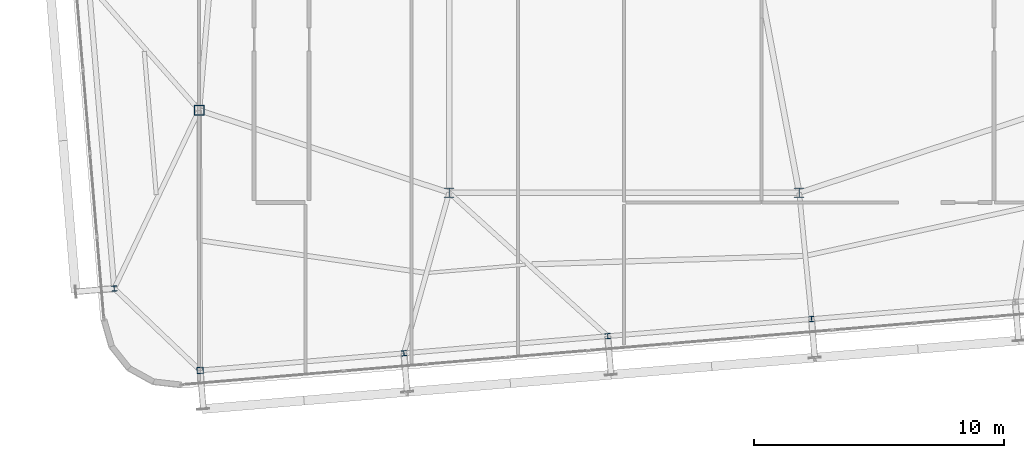
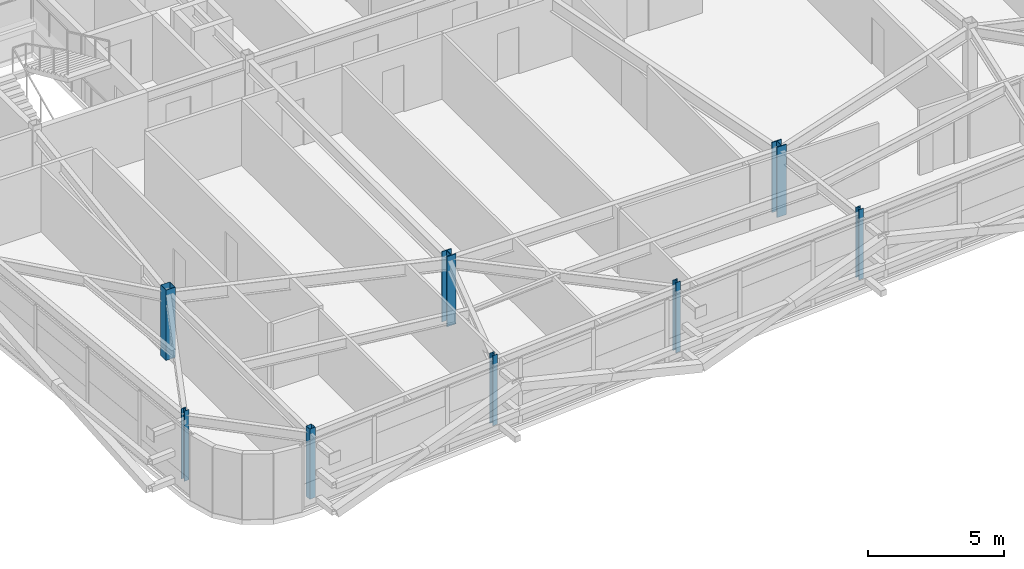
# One storey, part 1 of 44: 8 columns.
"""IFC4 building model written with IfcOpenShell, lengths in metres."""

import ifcopenshell
import ifcopenshell.guid

model = None  # the IFC model being written
_history = None  # IfcOwnerHistory: only IFC2X3 demands one
_inside = {}  # id of a spatial element -> (the spatial element, [elements in it])
_under = {}  # id of a project, library or spatial element -> (it, [spatial elements below it])
_declared = {}  # id of a project -> (the project, [libraries it declares])
_typed = {}  # id of a type object -> (the type object, [elements of that type])
_made_of = {}  # id of a material, layer set ... -> (it, [elements and type objects made of it])


def new_model(schema):
    """Start an empty IFC model of exactly this schema.

    Asked for "IFC4X3", IfcOpenShell would pick the latest addendum, in which some entities
    have other attributes; the version numbers below select the first issue.
    IFC2X3 requires an IfcOwnerHistory on every rooted entity: one is made here for all.
    """
    global model, _history
    if schema == "IFC4X3":
        model = ifcopenshell.file(schema_version=(4, 3, 0, 0))
    else:
        model = ifcopenshell.file(schema=schema)
    _inside.clear()
    _under.clear()
    _declared.clear()
    _typed.clear()
    _made_of.clear()
    _history = None
    if model.schema == "IFC2X3":
        org = make("IfcOrganization", Name="unknown")
        user = make(
            "IfcPersonAndOrganization",
            ThePerson=make("IfcPerson", FamilyName="unknown"),
            TheOrganization=org,
        )
        app = make(
            "IfcApplication",
            ApplicationDeveloper=org,
            Version="unknown",
            ApplicationFullName="unknown",
            ApplicationIdentifier="unknown",
        )
        _history = make(
            "IfcOwnerHistory",
            OwningUser=user,
            OwningApplication=app,
            ChangeAction="ADDED",
            CreationDate=0,
        )
    return model


def make(cls, **values):
    """One entity of the class cls with the attributes given. An attribute that is None is left unset."""
    return model.create_entity(
        cls, **{name: value for name, value in values.items() if value is not None}
    )


def rooted(cls, **values):
    """An entity with a GlobalId (a new one), such as an element, a storey or a relation."""
    return make(cls, GlobalId=ifcopenshell.guid.new(), OwnerHistory=_history, **values)


def si_unit(unit_type, name, prefix=None):
    """IfcSIUnit, for example si_unit("LENGTHUNIT", "METRE", prefix="MILLI")."""
    return make("IfcSIUnit", UnitType=unit_type, Prefix=prefix, Name=name)


def assignment(units):
    """IfcUnitAssignment: the units of a project."""
    return None if units is None else make("IfcUnitAssignment", Units=units)


def point(xyz):
    """IfcCartesianPoint."""
    return None if xyz is None else make("IfcCartesianPoint", Coordinates=xyz)


def direction(xyz):
    """IfcDirection."""
    return None if xyz is None else make("IfcDirection", DirectionRatios=xyz)


def frame(location, z_axis=None, x_axis=None):
    """IfcAxis2Placement3D, a coordinate frame: its origin and axes. An axis left out is left unset."""
    return make(
        "IfcAxis2Placement3D",
        Location=point(location),
        Axis=direction(z_axis),
        RefDirection=direction(x_axis),
    )


def frame_2d(location, x_axis=None):
    """IfcAxis2Placement2D, a coordinate frame in the plane: its origin and x axis."""
    return make(
        "IfcAxis2Placement2D", Location=point(location), RefDirection=direction(x_axis)
    )


def origin():
    """The frame at (0, 0, 0) with its axes left unset."""
    return frame((0.0, 0.0, 0.0))


def origin_2d():
    """The frame at (0, 0) in the plane with its x axis left unset."""
    return frame_2d((0.0, 0.0))


def place(relative_to, where):
    """IfcLocalPlacement: puts the frame where relative to a parent placement (None: the world)."""
    return make(
        "IfcLocalPlacement", PlacementRelTo=relative_to, RelativePlacement=where
    )


def context(
    kind, dimensions, precision=None, world=None, true_north=None, identifier=None
):
    """IfcGeometricRepresentationContext, for example the 3D "Model" context."""
    return make(
        "IfcGeometricRepresentationContext",
        ContextIdentifier=identifier,
        ContextType=kind,
        CoordinateSpaceDimension=dimensions,
        Precision=precision,
        WorldCoordinateSystem=world,
        TrueNorth=true_north,
    )


def subcontext(parent, identifier, kind, view, scale=None):
    """IfcGeometricRepresentationSubContext, for example "Body" below "Model"."""
    return make(
        "IfcGeometricRepresentationSubContext",
        ContextIdentifier=identifier,
        ContextType=kind,
        ParentContext=parent,
        TargetScale=scale,
        TargetView=view,
    )


def project(units=None, contexts=None):
    """IfcProject with its units and contexts."""
    return rooted(
        "IfcProject",
        Name="project",
        RepresentationContexts=contexts,
        UnitsInContext=assignment(units),
    )


def spatial(cls, under=None, at=None, **own):
    """A site, building, storey or space (cls), placed at a placement, below another one or the project."""
    s = rooted(cls, ObjectPlacement=at, **own)
    if under is not None:
        _under.setdefault(under.id(), (under, []))[1].append(s)
    return s


def profile(cls, at=None, kind="AREA", **sizes):
    """A parametric profile (cls). Its sizes go by their IFC names, for example OverallWidth=200.0."""
    return make(cls, ProfileType=kind, Position=at, **sizes)


def hollow_rectangle(**sizes):
    """IfcRectangleHollowProfileDef."""
    return profile("IfcRectangleHollowProfileDef", **sizes)


def i_section(**sizes):
    """IfcIShapeProfileDef."""
    return profile("IfcIShapeProfileDef", **sizes)


def extrude(swept, where, along, depth):
    """IfcExtrudedAreaSolid: the profile swept, set in the frame where, extruded along a direction by depth."""
    return make(
        "IfcExtrudedAreaSolid",
        SweptArea=swept,
        Position=where,
        ExtrudedDirection=direction(along),
        Depth=depth,
    )


def shape(context_of_items, identifier, shape_type, items):
    """IfcShapeRepresentation: the items that make up one representation, for example the "Body"."""
    return make(
        "IfcShapeRepresentation",
        ContextOfItems=context_of_items,
        RepresentationIdentifier=identifier,
        RepresentationType=shape_type,
        Items=items,
    )


def source(mapping_origin, context_of_items, identifier, shape_type, items):
    """IfcRepresentationMap: a shape defined once, which mapped items show again and again."""
    return make(
        "IfcRepresentationMap",
        MappingOrigin=mapping_origin,
        MappedRepresentation=shape(context_of_items, identifier, shape_type, items),
    )


def transform(
    local_origin,
    x_axis=None,
    y_axis=None,
    z_axis=None,
    scale=None,
    scale2=None,
    scale3=None,
    uniform=True,
):
    """IfcCartesianTransformationOperator3D, or its non-uniform kind. x_axis, y_axis, z_axis: its Axis1, 2, 3."""
    if uniform:
        return make(
            "IfcCartesianTransformationOperator3D",
            Axis1=direction(x_axis),
            Axis2=direction(y_axis),
            LocalOrigin=point(local_origin),
            Scale=scale,
            Axis3=direction(z_axis),
        )
    return make(
        "IfcCartesianTransformationOperator3DnonUniform",
        Axis1=direction(x_axis),
        Axis2=direction(y_axis),
        LocalOrigin=point(local_origin),
        Scale=scale,
        Axis3=direction(z_axis),
        Scale2=scale2,
        Scale3=scale3,
    )


def mapped(mapping_source, mapping_target):
    """IfcMappedItem: shows the shape of a source again, moved by a transform."""
    return make(
        "IfcMappedItem", MappingSource=mapping_source, MappingTarget=mapping_target
    )


def material(Name=None, Category=None):
    """IfcMaterial."""
    return make("IfcMaterial", Name=Name, Category=Category)


def material_profile(
    of_material, cross_section, Name=None, Category=None, Priority=None
):
    """IfcMaterialProfile: a cross section and its material."""
    return make(
        "IfcMaterialProfile",
        Name=Name,
        Material=of_material,
        Profile=cross_section,
        Priority=Priority,
        Category=Category,
    )


def profile_set(profiles, Name=None, composite=None):
    """IfcMaterialProfileSet."""
    return make(
        "IfcMaterialProfileSet",
        Name=Name,
        MaterialProfiles=profiles,
        CompositeProfile=composite,
    )


def made_of(thing, what):
    """Note that an element or type object is made of a material, layer set ...; save() writes the relation."""
    if what is not None:
        _made_of.setdefault(what.id(), (what, []))[1].append(thing)
    return thing


def type_object(cls, material=None, **own):
    """A type object (cls), such as IfcWallType, which elements share."""
    return made_of(rooted(cls, **own), material)


def element(
    cls,
    number,
    at=None,
    inside=None,
    cuts=None,
    type_object=None,
    material=None,
    context=None,
    identifier="Body",
    shape_type=None,
    held_by="IfcProductDefinitionShape",
    body=None,
    shapes=None,
    **own,
):
    """One element of the class cls, such as IfcWall. Its Tag is "e" and its number.

    at: its placement. inside: the storey or other place that contains it. cuts: it is an
    opening in that element (IfcRelVoidsElement). A single representation is given by context,
    identifier, shape_type and body (its items); several are given by shapes. held_by: the class
    of the entity that holds the representations. save() writes the other relations.
    """
    e = rooted(cls, Tag="e%d" % number, ObjectPlacement=at, **own)
    if body is not None:
        shapes = [shape(context, identifier, shape_type, body)]
    if shapes is not None:
        e.Representation = make(held_by, Representations=shapes)
    if inside is not None:
        _inside.setdefault(inside.id(), (inside, []))[1].append(e)
    if cuts is not None:
        rooted(
            "IfcRelVoidsElement", RelatingBuildingElement=cuts, RelatedOpeningElement=e
        )
    if type_object is not None:
        _typed.setdefault(type_object.id(), (type_object, []))[1].append(e)
    return made_of(e, material)


def aggregate(whole, parts):
    """IfcRelAggregates: a whole, such as a stair, and the parts it consists of."""
    return rooted("IfcRelAggregates", RelatingObject=whole, RelatedObjects=parts)


def save(model, path):
    """Write the relations noted so far, then the file.

    IfcRelAggregates (storeys below a building ...), IfcRelContainedInSpatialStructure (elements
    in a storey), IfcRelDefinesByType, IfcRelAssociatesMaterial and IfcRelDeclares: one each for
    every whole, place, type object, material and project.
    """
    for whole, parts in _under.values():
        aggregate(whole, parts)
    for where, things in _inside.values():
        rooted(
            "IfcRelContainedInSpatialStructure",
            RelatedElements=things,
            RelatingStructure=where,
        )
    for kind, things in _typed.values():
        rooted("IfcRelDefinesByType", RelatedObjects=things, RelatingType=kind)
    for what, things in _made_of.values():
        rooted("IfcRelAssociatesMaterial", RelatedObjects=things, RelatingMaterial=what)
    for by, libraries in _declared.values():
        rooted("IfcRelDeclares", RelatingContext=by, RelatedDefinitions=libraries)
    model.write(path)


model = new_model("IFC4")

# Units and contexts
model_context = context("Model", 3, precision=1e-05, world=origin(), true_north=direction((0.0, 1.0)))
body_context = subcontext(model_context, "Body", "Model", "MODEL_VIEW")
ifc_project = project(units=[si_unit("LENGTHUNIT", "METRE"), si_unit("AREAUNIT", "SQUARE_METRE"), si_unit("VOLUMEUNIT", "CUBIC_METRE"), si_unit("PLANEANGLEUNIT", "RADIAN"), si_unit("MASSUNIT", "GRAM", prefix="KILO")], contexts=[model_context])

# Site, building, storey
site_placement = place(None, origin())
site = spatial("IfcSite", under=ifc_project, at=site_placement, CompositionType="ELEMENT")
building_placement = place(site_placement, origin())
building = spatial("IfcBuilding", under=site, at=building_placement, Name="Taldren Reach Tower", CompositionType="ELEMENT")
storey_placement = place(building_placement, frame((0.0, 0.0, 191.449951171875)))
storey = spatial("IfcBuildingStorey", under=building, at=storey_placement, Name="L58", CompositionType="ELEMENT", Elevation=191.449951171875)

# Columns
ifc_material_1 = material(Name="Steel Gr 350 (350PLUS)", Category="steel")
ifc_material_profile_1 = material_profile(ifc_material_1, i_section(OverallWidth=0.39990234375, OverallDepth=0.39599609375, WebThickness=0.02197265625, FlangeThickness=0.033935546875, at=origin_2d()), Name="400WC270")
ifc_profile_set_1 = profile_set([ifc_material_profile_1], Name="Steel Gr 350 (350PLUS)")
column_type_1 = type_object("IfcColumnType", Name="COL-WC400", PredefinedType="COLUMN", material=ifc_profile_set_1)
shared_shape_1 = source(origin(), body_context, "Body", "SweptSolid", [
    extrude(i_section(OverallWidth=0.39990234375, OverallDepth=0.39599609375, WebThickness=0.02197265625, FlangeThickness=0.033935546875, at=origin_2d()), origin(), (0.0, 0.0, 1.0), 3.150146484375),
])
for number, where, z_axis, x_axis, name in (
    (1, (28.0, 9.199951171875, 0.0), (0.0, 0.0, 1.0), (1.0, 0.0, 0.0), "Mega column MC-PJW L58"),
    (2, (42.0, 9.199951171875, 0.0), (0.0, 0.0, 1.0), (1.0, 0.0, 0.0), "Mega column MC-PJE L58"),
):
    element("IfcColumn", number, at=place(storey_placement, frame(where, z_axis=z_axis, x_axis=x_axis)), inside=storey, type_object=column_type_1, Name=name, PredefinedType="COLUMN", context=body_context, shape_type="MappedRepresentation", body=[
        mapped(shared_shape_1, transform((0.0, 0.0, 0.0), scale=1.0)),
    ])
ifc_material_2 = material(Name="Steel Gr 450 (C450L0)", Category="steel")
ifc_material_profile_2 = material_profile(ifc_material_2, hollow_rectangle(XDim=0.39990234375, YDim=0.39990234375, WallThickness=0.01611328125, at=origin_2d()), Name="400x400x16.0SHS")
ifc_profile_set_2 = profile_set([ifc_material_profile_2], Name="Steel Gr 450 (C450L0)")
column_type_2 = type_object("IfcColumnType", Name="COL-SHS400", PredefinedType="COLUMN", material=ifc_profile_set_2)
shared_shape_2 = source(origin(), body_context, "Body", "SweptSolid", [
    extrude(hollow_rectangle(XDim=0.39990234375, YDim=0.39990234375, WallThickness=0.01611328125, at=origin_2d()), origin(), (0.0, 0.0, 1.0), 3.150146484375),
])
column_1_placement = place(storey_placement, frame((18.0, 12.5, 0.0), z_axis=(0.0, 0.0, 1.0), x_axis=(1.0, 0.0, 0.0)))
element("IfcColumn", 3, at=column_1_placement, inside=storey, type_object=column_type_2, Name="Mega column MC-SW L58", PredefinedType="COLUMN", context=body_context, shape_type="MappedRepresentation", body=[
    mapped(shared_shape_2, transform((0.0, 0.0, 0.0), scale=1.0)),
])
ifc_material_3 = material(Name="Steel Gr 350 (C350L0)", Category="steel")
ifc_material_profile_3 = material_profile(ifc_material_3, hollow_rectangle(XDim=0.25, YDim=0.25, WallThickness=0.010009765625, at=origin_2d()), Name="250x250x10.0SHS")
ifc_profile_set_3 = profile_set([ifc_material_profile_3], Name="Steel Gr 350 (C350L0)")
column_type_3 = type_object("IfcColumnType", Name="COL-SHS250", PredefinedType="COLUMN", material=ifc_profile_set_3)
shared_shape_3 = source(origin(), body_context, "Body", "SweptSolid", [
    extrude(hollow_rectangle(XDim=0.25, YDim=0.25, WallThickness=0.010009765625, at=origin_2d()), origin(), (0.0, 0.0, 1.0), 3.150146484375),
])
column_2_placement = place(storey_placement, frame((18.03955078125, 2.093994140625, 0.0), z_axis=(0.0, 0.0, 1.0), x_axis=(0.99649285925, 0.083677843332, 0.0)))
element("IfcColumn", 4, at=column_2_placement, inside=storey, type_object=column_type_3, Name="Block B4 perimeter column S1 L58", PredefinedType="COLUMN", context=body_context, shape_type="MappedRepresentation", body=[
    mapped(shared_shape_3, transform((0.0, 0.0, 0.0), scale=1.0)),
])
ifc_material_profile_4 = material_profile(ifc_material_1, i_section(OverallWidth=0.205078125, OverallDepth=0.2099609375, WebThickness=0.00927734375, FlangeThickness=0.01416015625, at=origin_2d()), Name="200UC59.5")
ifc_profile_set_4 = profile_set([ifc_material_profile_4], Name="Steel Gr 350 (350PLUS)")
column_type_4 = type_object("IfcColumnType", Name="COL-UC200", PredefinedType="COLUMN", material=ifc_profile_set_4)
shared_shape_4 = source(origin(), body_context, "Body", "SweptSolid", [
    extrude(i_section(OverallWidth=0.205078125, OverallDepth=0.2099609375, WebThickness=0.00927734375, FlangeThickness=0.01416015625, at=origin_2d()), origin(), (0.0, 0.0, 1.0), 3.150146484375),
])
for number, where, z_axis, x_axis, name in (
    (5, (26.19091796875, 2.778564453125, 0.0), (0.0, 0.0, 1.0), (0.99649285925, 0.083677843332, 0.0), "Block B4 perimeter column S2 L58"),
    (6, (34.34228515625, 3.462890625, 0.0), (0.0, 0.0, 1.0), (0.99649285925, 0.083677843332, 0.0), "Block B4 perimeter column S3 L58"),
    (7, (42.49365234375, 4.1474609375, 0.0), (0.0, 0.0, 1.0), (0.99649285925, 0.083677843332, 0.0), "Block B4 perimeter column S4 L58"),
    (8, (14.603759765625, 5.367919921875, 0.0), (0.0, 0.0, 1.0), (0.99649285925, 0.083677843332, 0.0), "Block B4 perimeter column W1 L58"),
):
    element("IfcColumn", number, at=place(storey_placement, frame(where, z_axis=z_axis, x_axis=x_axis)), inside=storey, type_object=column_type_4, Name=name, PredefinedType="COLUMN", context=body_context, shape_type="MappedRepresentation", body=[
        mapped(shared_shape_4, transform((0.0, 0.0, 0.0), scale=1.0)),
    ])

save(model, "model.ifc")
